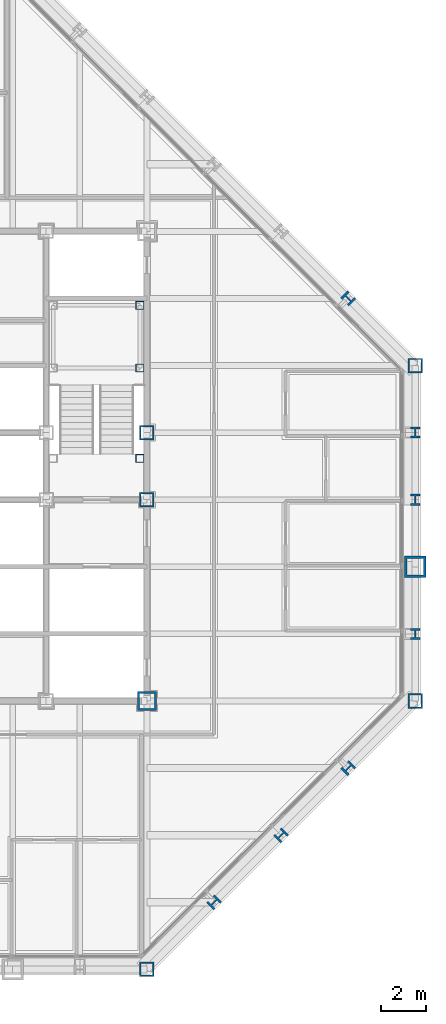
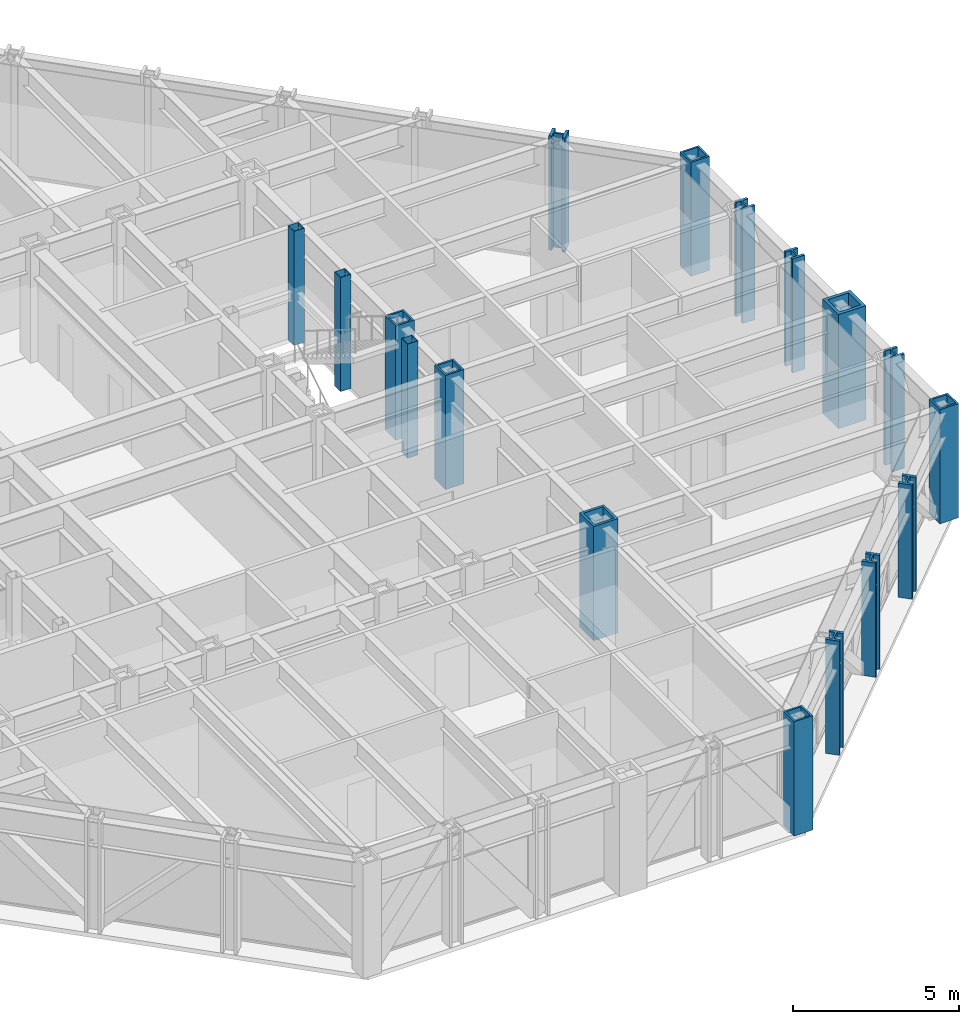
# One storey, part 3 of 16: 17 columns.
"""IFC4 building model written with IfcOpenShell, lengths in metres."""

from ifc_helpers import new_model, si_unit, direction, frame, origin, origin_2d, place, context, subcontext, project, spatial, hollow_rectangle, i_section, extrude, material, material_profile, profile_set, type_object, element, save


model = new_model("IFC4")

# Units and contexts
model_context = context("Model", 3, precision=1e-05, world=origin(), true_north=direction((0.0, 1.0)))
body_context = subcontext(model_context, "Body", "Model", "MODEL_VIEW")
ifc_project = project(units=[si_unit("LENGTHUNIT", "METRE"), si_unit("AREAUNIT", "SQUARE_METRE"), si_unit("VOLUMEUNIT", "CUBIC_METRE"), si_unit("PLANEANGLEUNIT", "RADIAN"), si_unit("MASSUNIT", "GRAM", prefix="KILO")], contexts=[model_context])

# Site, building, storey
site_placement = place(None, origin())
site = spatial("IfcSite", under=ifc_project, at=site_placement, CompositionType="ELEMENT")
building_placement = place(site_placement, origin())
building = spatial("IfcBuilding", under=site, at=building_placement, Name="Chuquiago Exchange Tower", CompositionType="ELEMENT")
storey_placement = place(building_placement, frame((0.0, 0.0, 201.300048828125)))
storey = spatial("IfcBuildingStorey", under=building, at=storey_placement, Name="L44", CompositionType="ELEMENT", Elevation=201.300048828125)

# Columns
ifc_material_1 = material(Name="Steel ASTM A992", Category="steel")
ifc_material_profile_1 = material_profile(ifc_material_1, i_section(OverallWidth=0.431884765625, OverallDepth=0.497802734375, WebThickness=0.0556640625, FlangeThickness=0.0888671875, at=origin_2d()), Name="W14X500")
ifc_profile_set_1 = profile_set([ifc_material_profile_1], Name="Steel ASTM A992")
column_type_1 = type_object("IfcColumnType", Name="C4 W14X500", PredefinedType="COLUMN", material=ifc_profile_set_1)
for number, where, z_axis, x_axis, name in (
    (1, (45.0, 15.0, 0.0), (0.0, 0.0, 1.0), (1.0, 0.0, 0.0), "COL-L44-45_15"),
    (2, (45.0, 21.0, 0.0), (0.0, 0.0, 1.0), (1.0, 0.0, 0.0), "COL-L44-45_21"),
    (3, (45.0, 24.0, 0.0), (0.0, 0.0, 1.0), (1.0, 0.0, 0.0), "COL-L44-45_24"),
):
    element("IfcColumn", number, at=place(storey_placement, frame(where, z_axis=z_axis, x_axis=x_axis)), inside=storey, type_object=column_type_1, Name=name, PredefinedType="COLUMN", context=body_context, shape_type="SweptSolid", body=[
        extrude(i_section(OverallWidth=0.431884765625, OverallDepth=0.497802734375, WebThickness=0.0556640625, FlangeThickness=0.0888671875, at=origin_2d()), origin(), (0.0, 0.0, 1.0), 4.199951171875),
    ])
ifc_material_2 = material(Name="Steel ASTM A572 Grade 50", Category="steel")
ifc_material_profile_2 = material_profile(ifc_material_2, hollow_rectangle(XDim=0.64990234375, YDim=0.64990234375, WallThickness=0.06494140625, at=origin_2d()), Name="BOX650X650X65")
ifc_profile_set_2 = profile_set([ifc_material_profile_2], Name="Steel ASTM A572 Grade 50")
column_type_2 = type_object("IfcColumnType", Name="CC4 BOX650X650X65", PredefinedType="COLUMN", material=ifc_profile_set_2)
for number, where, z_axis, x_axis, name in (
    (4, (33.0, 21.0, 0.0), (0.0, 0.0, 1.0), (1.0, 0.0, 0.0), "CCOL-L44-33_21"),
    (5, (33.0, 24.0, 0.0), (0.0, 0.0, 1.0), (1.0, 0.0, 0.0), "CCOL-L44-33_24"),
):
    element("IfcColumn", number, at=place(storey_placement, frame(where, z_axis=z_axis, x_axis=x_axis)), inside=storey, type_object=column_type_2, Name=name, PredefinedType="COLUMN", context=body_context, shape_type="SweptSolid", body=[
        extrude(hollow_rectangle(XDim=0.64990234375, YDim=0.64990234375, WallThickness=0.06494140625, at=origin_2d()), origin(), (0.0, 0.0, 1.0), 4.199951171875),
    ])
ifc_material_3 = material(Name="Steel ASTM A572 Grade 50", Category="steel")
ifc_material_profile_3 = material_profile(ifc_material_3, hollow_rectangle(XDim=0.85009765625, YDim=0.85009765625, WallThickness=0.0849609375, at=origin_2d()), Name="BOX850X850X85")
ifc_profile_set_3 = profile_set([ifc_material_profile_3], Name="Steel ASTM A572 Grade 50")
column_type_3 = type_object("IfcColumnType", Name="CC6 BOX850X850X85", PredefinedType="COLUMN", material=ifc_profile_set_3)
column_1_placement = place(storey_placement, frame((33.0, 12.0, 0.0), z_axis=(0.0, 0.0, 1.0), x_axis=(1.0, 0.0, 0.0)))
element("IfcColumn", 6, at=column_1_placement, inside=storey, type_object=column_type_3, Name="CCOL-L44-33_12", PredefinedType="COLUMN", context=body_context, shape_type="SweptSolid", body=[
    extrude(hollow_rectangle(XDim=0.85009765625, YDim=0.85009765625, WallThickness=0.0849609375, at=origin_2d()), origin(), (0.0, 0.0, 1.0), 4.199951171875),
])
ifc_material_4 = material(Name="Steel ASTM A992", Category="steel")
ifc_material_profile_4 = material_profile(ifc_material_4, i_section(OverallWidth=0.436767578125, OverallDepth=0.51318359375, WebThickness=0.060546875, FlangeThickness=0.096923828125, at=origin_2d()), Name="W14X550")
ifc_profile_set_4 = profile_set([ifc_material_profile_4], Name="Steel ASTM A992")
column_type_4 = type_object("IfcColumnType", Name="CK4 W14X550", PredefinedType="COLUMN", material=ifc_profile_set_4)
for number, where, z_axis, x_axis, name in (
    (7, (36.0, 3.0, 0.0), (0.0, 0.0, 1.0), (0.707106781187, -0.707106781187, 0.0), "COL-L44-36_3"),
    (8, (39.0, 6.0, 0.0), (0.0, 0.0, 1.0), (0.707106781187, -0.707106781187, 0.0), "COL-L44-39_6"),
    (9, (42.0, 9.0, 0.0), (0.0, 0.0, 1.0), (0.707106781187, -0.707106781187, 0.0), "COL-L44-42_9"),
    (10, (42.0, 30.0, 0.0), (0.0, 0.0, 1.0), (0.707106781187, 0.707106781187, 0.0), "COL-L44-42_30"),
):
    element("IfcColumn", number, at=place(storey_placement, frame(where, z_axis=z_axis, x_axis=x_axis)), inside=storey, type_object=column_type_4, Name=name, PredefinedType="COLUMN", context=body_context, shape_type="SweptSolid", body=[
        extrude(i_section(OverallWidth=0.436767578125, OverallDepth=0.51318359375, WebThickness=0.060546875, FlangeThickness=0.096923828125, at=origin_2d()), origin(), (0.0, 0.0, 1.0), 4.199951171875),
    ])
ifc_material_5 = material(Name="Steel ASTM A572 Grade 50", Category="steel")
ifc_material_profile_5 = material_profile(ifc_material_5, hollow_rectangle(XDim=0.64990234375, YDim=0.64990234375, WallThickness=0.06494140625, at=origin_2d()), Name="BOX650X650X65")
ifc_profile_set_5 = profile_set([ifc_material_profile_5], Name="Steel ASTM A572 Grade 50")
column_type_5 = type_object("IfcColumnType", Name="CN2 BOX650X650X65", PredefinedType="COLUMN", material=ifc_profile_set_5)
for number, where, z_axis, x_axis, name in (
    (11, (33.0, 0.0, 0.0), (0.0, 0.0, 1.0), (0.0, -1.0, 0.0), "COL-L44-33_0"),
    (12, (45.0, 12.0, 0.0), (0.0, 0.0, 1.0), (1.0, 0.0, 0.0), "COL-L44-45_12"),
    (13, (45.0, 27.0, 0.0), (0.0, 0.0, 1.0), (1.0, 0.0, 0.0), "COL-L44-45_27"),
):
    element("IfcColumn", number, at=place(storey_placement, frame(where, z_axis=z_axis, x_axis=x_axis)), inside=storey, type_object=column_type_5, Name=name, PredefinedType="COLUMN", context=body_context, shape_type="SweptSolid", body=[
        extrude(hollow_rectangle(XDim=0.64990234375, YDim=0.64990234375, WallThickness=0.06494140625, at=origin_2d()), origin(), (0.0, 0.0, 1.0), 4.199951171875),
    ])
ifc_material_6 = material(Name="Steel ASTM A572 Grade 42", Category="steel")
ifc_material_profile_6 = material_profile(ifc_material_6, hollow_rectangle(XDim=0.949951171875, YDim=0.949951171875, WallThickness=0.110107421875, at=origin_2d()), Name="BOX950X950X110")
ifc_profile_set_6 = profile_set([ifc_material_profile_6], Name="Steel ASTM A572 Grade 42")
column_type_6 = type_object("IfcColumnType", Name="CT1 BOX950X950X110", PredefinedType="COLUMN", material=ifc_profile_set_6)
column_2_placement = place(storey_placement, frame((45.0, 18.0, 0.0), z_axis=(0.0, 0.0, 1.0), x_axis=(1.0, 0.0, 0.0)))
element("IfcColumn", 14, at=column_2_placement, inside=storey, type_object=column_type_6, Name="COL-L44-45_18", PredefinedType="COLUMN", context=body_context, shape_type="SweptSolid", body=[
    extrude(hollow_rectangle(XDim=0.949951171875, YDim=0.949951171875, WallThickness=0.110107421875, at=origin_2d()), origin(), (0.0, 0.0, 1.0), 4.199951171875),
])
ifc_material_7 = material(Name="Steel ASTM A500 Grade C", Category="steel")
ifc_material_profile_7 = material_profile(ifc_material_7, hollow_rectangle(XDim=0.355712890625, YDim=0.355712890625, WallThickness=0.0087890625, at=origin_2d()), Name="HSS14X14X3/8")
ifc_profile_set_7 = profile_set([ifc_material_profile_7], Name="Steel ASTM A500 Grade C")
column_type_7 = type_object("IfcColumnType", Name="PT1 HSS14X14X3/8", PredefinedType="COLUMN", material=ifc_profile_set_7)
for number, where, z_axis, x_axis, name in (
    (15, (32.68994140625, 29.68994140625, 0.0), (0.0, 0.0, 1.0), (1.0, 0.0, 0.0), "Stair ST2 L44 landing post"),
    (16, (32.68994140625, 26.889892578125, 0.0), (0.0, 0.0, 1.0), (1.0, 0.0, 0.0), "Stair ST2 L44 landing post"),
    (17, (32.68994140625, 22.85009765625, 0.0), (0.0, 0.0, 1.0), (1.0, 0.0, 0.0), "Stair ST2 L44 landing post"),
):
    element("IfcColumn", number, at=place(storey_placement, frame(where, z_axis=z_axis, x_axis=x_axis)), inside=storey, type_object=column_type_7, Name=name, PredefinedType="COLUMN", context=body_context, shape_type="SweptSolid", body=[
        extrude(hollow_rectangle(XDim=0.355712890625, YDim=0.355712890625, WallThickness=0.0087890625, at=origin_2d()), origin(), (0.0, 0.0, 1.0), 4.199951171875),
    ])

save(model, "model.ifc")
